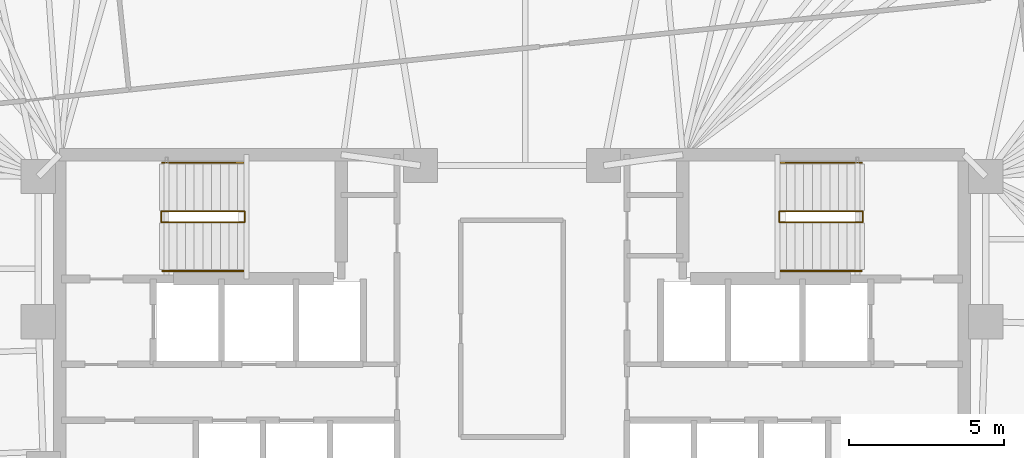
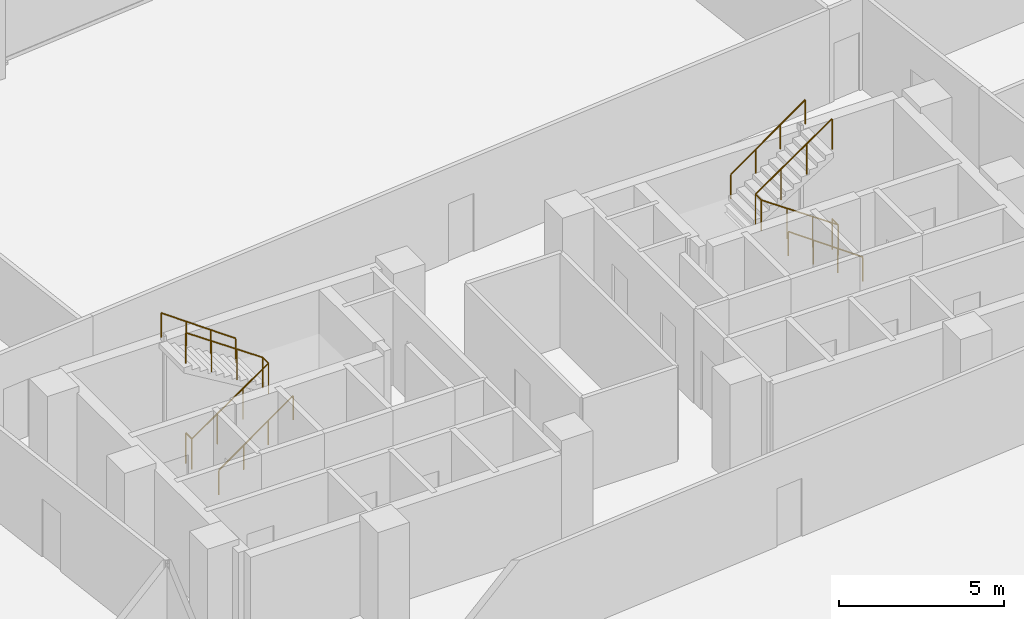
# One storey, part 18 of 18: 6 railings.
"""IFC4 building model written with IfcOpenShell, lengths in metres."""

import ifcopenshell
import ifcopenshell.guid

model = None  # the IFC model being written
_history = None  # IfcOwnerHistory: only IFC2X3 demands one
_inside = {}  # id of a spatial element -> (the spatial element, [elements in it])
_under = {}  # id of a project, library or spatial element -> (it, [spatial elements below it])
_declared = {}  # id of a project -> (the project, [libraries it declares])
_typed = {}  # id of a type object -> (the type object, [elements of that type])
_made_of = {}  # id of a material, layer set ... -> (it, [elements and type objects made of it])


def new_model(schema):
    """Start an empty IFC model of exactly this schema.

    Asked for "IFC4X3", IfcOpenShell would pick the latest addendum, in which some entities
    have other attributes; the version numbers below select the first issue.
    IFC2X3 requires an IfcOwnerHistory on every rooted entity: one is made here for all.
    """
    global model, _history
    if schema == "IFC4X3":
        model = ifcopenshell.file(schema_version=(4, 3, 0, 0))
    else:
        model = ifcopenshell.file(schema=schema)
    _inside.clear()
    _under.clear()
    _declared.clear()
    _typed.clear()
    _made_of.clear()
    _history = None
    if model.schema == "IFC2X3":
        org = make("IfcOrganization", Name="unknown")
        user = make(
            "IfcPersonAndOrganization",
            ThePerson=make("IfcPerson", FamilyName="unknown"),
            TheOrganization=org,
        )
        app = make(
            "IfcApplication",
            ApplicationDeveloper=org,
            Version="unknown",
            ApplicationFullName="unknown",
            ApplicationIdentifier="unknown",
        )
        _history = make(
            "IfcOwnerHistory",
            OwningUser=user,
            OwningApplication=app,
            ChangeAction="ADDED",
            CreationDate=0,
        )
    return model


def make(cls, **values):
    """One entity of the class cls with the attributes given. An attribute that is None is left unset."""
    return model.create_entity(
        cls, **{name: value for name, value in values.items() if value is not None}
    )


def rooted(cls, **values):
    """An entity with a GlobalId (a new one), such as an element, a storey or a relation."""
    return make(cls, GlobalId=ifcopenshell.guid.new(), OwnerHistory=_history, **values)


def si_unit(unit_type, name, prefix=None):
    """IfcSIUnit, for example si_unit("LENGTHUNIT", "METRE", prefix="MILLI")."""
    return make("IfcSIUnit", UnitType=unit_type, Prefix=prefix, Name=name)


def assignment(units):
    """IfcUnitAssignment: the units of a project."""
    return None if units is None else make("IfcUnitAssignment", Units=units)


def point(xyz):
    """IfcCartesianPoint."""
    return None if xyz is None else make("IfcCartesianPoint", Coordinates=xyz)


def direction(xyz):
    """IfcDirection."""
    return None if xyz is None else make("IfcDirection", DirectionRatios=xyz)


def frame(location, z_axis=None, x_axis=None):
    """IfcAxis2Placement3D, a coordinate frame: its origin and axes. An axis left out is left unset."""
    return make(
        "IfcAxis2Placement3D",
        Location=point(location),
        Axis=direction(z_axis),
        RefDirection=direction(x_axis),
    )


def frame_2d(location, x_axis=None):
    """IfcAxis2Placement2D, a coordinate frame in the plane: its origin and x axis."""
    return make(
        "IfcAxis2Placement2D", Location=point(location), RefDirection=direction(x_axis)
    )


def origin():
    """The frame at (0, 0, 0) with its axes left unset."""
    return frame((0.0, 0.0, 0.0))


def origin_2d():
    """The frame at (0, 0) in the plane with its x axis left unset."""
    return frame_2d((0.0, 0.0))


def place(relative_to, where):
    """IfcLocalPlacement: puts the frame where relative to a parent placement (None: the world)."""
    return make(
        "IfcLocalPlacement", PlacementRelTo=relative_to, RelativePlacement=where
    )


def context(
    kind, dimensions, precision=None, world=None, true_north=None, identifier=None
):
    """IfcGeometricRepresentationContext, for example the 3D "Model" context."""
    return make(
        "IfcGeometricRepresentationContext",
        ContextIdentifier=identifier,
        ContextType=kind,
        CoordinateSpaceDimension=dimensions,
        Precision=precision,
        WorldCoordinateSystem=world,
        TrueNorth=true_north,
    )


def subcontext(parent, identifier, kind, view, scale=None):
    """IfcGeometricRepresentationSubContext, for example "Body" below "Model"."""
    return make(
        "IfcGeometricRepresentationSubContext",
        ContextIdentifier=identifier,
        ContextType=kind,
        ParentContext=parent,
        TargetScale=scale,
        TargetView=view,
    )


def project(units=None, contexts=None):
    """IfcProject with its units and contexts."""
    return rooted(
        "IfcProject",
        Name="project",
        RepresentationContexts=contexts,
        UnitsInContext=assignment(units),
    )


def spatial(cls, under=None, at=None, **own):
    """A site, building, storey or space (cls), placed at a placement, below another one or the project."""
    s = rooted(cls, ObjectPlacement=at, **own)
    if under is not None:
        _under.setdefault(under.id(), (under, []))[1].append(s)
    return s


def profile(cls, at=None, kind="AREA", **sizes):
    """A parametric profile (cls). Its sizes go by their IFC names, for example OverallWidth=200.0."""
    return make(cls, ProfileType=kind, Position=at, **sizes)


def circle(**sizes):
    """IfcCircleProfileDef."""
    return profile("IfcCircleProfileDef", **sizes)


def extrude(swept, where, along, depth):
    """IfcExtrudedAreaSolid: the profile swept, set in the frame where, extruded along a direction by depth."""
    return make(
        "IfcExtrudedAreaSolid",
        SweptArea=swept,
        Position=where,
        ExtrudedDirection=direction(along),
        Depth=depth,
    )


def shape(context_of_items, identifier, shape_type, items):
    """IfcShapeRepresentation: the items that make up one representation, for example the "Body"."""
    return make(
        "IfcShapeRepresentation",
        ContextOfItems=context_of_items,
        RepresentationIdentifier=identifier,
        RepresentationType=shape_type,
        Items=items,
    )


def material(Name=None, Category=None):
    """IfcMaterial."""
    return make("IfcMaterial", Name=Name, Category=Category)


def made_of(thing, what):
    """Note that an element or type object is made of a material, layer set ...; save() writes the relation."""
    if what is not None:
        _made_of.setdefault(what.id(), (what, []))[1].append(thing)
    return thing


def type_object(cls, material=None, **own):
    """A type object (cls), such as IfcWallType, which elements share."""
    return made_of(rooted(cls, **own), material)


def element(
    cls,
    number,
    at=None,
    inside=None,
    cuts=None,
    type_object=None,
    material=None,
    context=None,
    identifier="Body",
    shape_type=None,
    held_by="IfcProductDefinitionShape",
    body=None,
    shapes=None,
    **own,
):
    """One element of the class cls, such as IfcWall. Its Tag is "e" and its number.

    at: its placement. inside: the storey or other place that contains it. cuts: it is an
    opening in that element (IfcRelVoidsElement). A single representation is given by context,
    identifier, shape_type and body (its items); several are given by shapes. held_by: the class
    of the entity that holds the representations. save() writes the other relations.
    """
    e = rooted(cls, Tag="e%d" % number, ObjectPlacement=at, **own)
    if body is not None:
        shapes = [shape(context, identifier, shape_type, body)]
    if shapes is not None:
        e.Representation = make(held_by, Representations=shapes)
    if inside is not None:
        _inside.setdefault(inside.id(), (inside, []))[1].append(e)
    if cuts is not None:
        rooted(
            "IfcRelVoidsElement", RelatingBuildingElement=cuts, RelatedOpeningElement=e
        )
    if type_object is not None:
        _typed.setdefault(type_object.id(), (type_object, []))[1].append(e)
    return made_of(e, material)


def aggregate(whole, parts):
    """IfcRelAggregates: a whole, such as a stair, and the parts it consists of."""
    return rooted("IfcRelAggregates", RelatingObject=whole, RelatedObjects=parts)


def save(model, path):
    """Write the relations noted so far, then the file.

    IfcRelAggregates (storeys below a building ...), IfcRelContainedInSpatialStructure (elements
    in a storey), IfcRelDefinesByType, IfcRelAssociatesMaterial and IfcRelDeclares: one each for
    every whole, place, type object, material and project.
    """
    for whole, parts in _under.values():
        aggregate(whole, parts)
    for where, things in _inside.values():
        rooted(
            "IfcRelContainedInSpatialStructure",
            RelatedElements=things,
            RelatingStructure=where,
        )
    for kind, things in _typed.values():
        rooted("IfcRelDefinesByType", RelatedObjects=things, RelatingType=kind)
    for what, things in _made_of.values():
        rooted("IfcRelAssociatesMaterial", RelatedObjects=things, RelatingMaterial=what)
    for by, libraries in _declared.values():
        rooted("IfcRelDeclares", RelatingContext=by, RelatedDefinitions=libraries)
    model.write(path)


model = new_model("IFC4")

# Units and contexts
model_context = context("Model", 3, precision=1e-05, world=origin(), true_north=direction((0.0, 1.0)))
body_context = subcontext(model_context, "Body", "Model", "MODEL_VIEW")
ifc_project = project(units=[si_unit("LENGTHUNIT", "METRE"), si_unit("AREAUNIT", "SQUARE_METRE"), si_unit("VOLUMEUNIT", "CUBIC_METRE"), si_unit("PLANEANGLEUNIT", "RADIAN"), si_unit("MASSUNIT", "GRAM", prefix="KILO")], contexts=[model_context])

# Site, building, storey
site_placement = place(None, origin())
site = spatial("IfcSite", under=ifc_project, at=site_placement, CompositionType="ELEMENT")
building_placement = place(site_placement, origin())
building = spatial("IfcBuilding", under=site, at=building_placement, Name="Menara Jurai Vektor", CompositionType="ELEMENT")
storey_placement = place(building_placement, frame((0.0, 0.0, 91.10009765625)))
storey = spatial("IfcBuildingStorey", under=building, at=storey_placement, Name="L22", CompositionType="ELEMENT", Elevation=91.10009765625)

# Railings
ifc_material_1 = material(Name="Painted Galvanised Steel Balustrade", Category="steel")
railing_type_1 = type_object("IfcRailingType", Name="RAIL-STAIR-GUARD", PredefinedType="GUARDRAIL", material=ifc_material_1)
railing_1_placement = place(storey_placement, frame((-11.2900390625, 3.780029296875, 0.0)))
element("IfcRailing", 1, at=railing_1_placement, inside=storey, type_object=railing_type_1, Name="ST1 Stair Guardrail 1 L22", PredefinedType="GUARDRAIL", context=body_context, shape_type="SweptSolid", body=[
    extrude(circle(Radius=0.02392578125, at=origin_2d()), frame((0.0, 0.0, 1.1259765625), z_axis=(0.0, -1.0, 0.0), x_axis=(1.0, 0.0, 0.0)), (0.0, 0.0, 1.0), 0.360107421875),
    extrude(circle(Radius=0.02392578125, at=origin_2d()), frame((0.0, -0.360107421875, 1.1259765625), z_axis=(0.822979520584, 0.0, 0.568071041948), x_axis=(0.0, 1.0, 0.0)), (0.0, 0.0, 1.0), 3.25634765625),
    extrude(circle(Radius=0.02392578125, at=origin_2d()), frame((2.679931640625, -0.360107421875, 2.9755859375), z_axis=(0.0, 1.0, 0.0), x_axis=(-1.0, 0.0, 0.0)), (0.0, 0.0, 1.0), 0.360107421875),
    extrude(circle(Radius=0.02392578125, at=origin_2d()), frame((2.679931640625, 0.0, 2.9755859375), z_axis=(-0.822944469782, 0.0, 0.568121817619), x_axis=(0.0, -1.0, 0.0)), (0.0, 0.0, 1.0), 3.256591796875),
    extrude(circle(Radius=0.02099609375, at=origin_2d()), origin(), (0.0, 0.0, 1.0), 1.101806640625),
    extrude(circle(Radius=0.02099609375, at=origin_2d()), frame((0.0, -0.360107421875, 0.0)), (0.0, 0.0, 1.0), 1.101806640625),
    extrude(circle(Radius=0.02099609375, at=origin_2d()), frame((0.893310546875, -0.360107421875, 0.61669921875)), (0.0, 0.0, 1.0), 1.101806640625),
    extrude(circle(Radius=0.02099609375, at=origin_2d()), frame((1.78662109375, -0.360107421875, 1.233154296875)), (0.0, 0.0, 1.0), 1.101806640625),
    extrude(circle(Radius=0.02099609375, at=origin_2d()), frame((2.679931640625, -0.360107421875, 1.849853515625)), (0.0, 0.0, 1.0), 1.101806640625),
    extrude(circle(Radius=0.02099609375, at=origin_2d()), frame((2.679931640625, 0.0, 1.849853515625)), (0.0, 0.0, 1.0), 1.101806640625),
    extrude(circle(Radius=0.02099609375, at=origin_2d()), frame((1.78662109375, 0.0, 2.466552734375)), (0.0, 0.0, 1.0), 1.101806640625),
    extrude(circle(Radius=0.02099609375, at=origin_2d()), frame((0.893310546875, 0.0, 3.083251953125)), (0.0, 0.0, 1.0), 1.101806640625),
    extrude(circle(Radius=0.02099609375, at=origin_2d()), frame((0.0, 0.0, 3.699951171875)), (0.0, 0.0, 1.0), 1.101806640625),
])
railing_2_placement = place(storey_placement, frame((11.2900390625, 3.780029296875, 0.0)))
element("IfcRailing", 2, at=railing_2_placement, inside=storey, type_object=railing_type_1, Name="ST2 Stair Guardrail 1 L22", PredefinedType="GUARDRAIL", context=body_context, shape_type="SweptSolid", body=[
    extrude(circle(Radius=0.02392578125, at=origin_2d()), frame((0.0, 0.0, 1.1259765625), z_axis=(0.0, -1.0, 0.0), x_axis=(1.0, 0.0, 0.0)), (0.0, 0.0, 1.0), 0.360107421875),
    extrude(circle(Radius=0.02392578125, at=origin_2d()), frame((0.0, -0.360107421875, 1.1259765625), z_axis=(-0.822979520584, 0.0, 0.568071041948), x_axis=(0.0, -1.0, 0.0)), (0.0, 0.0, 1.0), 3.25634765625),
    extrude(circle(Radius=0.02392578125, at=origin_2d()), frame((-2.679931640625, -0.360107421875, 2.9755859375), z_axis=(0.0, 1.0, 0.0), x_axis=(-1.0, 0.0, 0.0)), (0.0, 0.0, 1.0), 0.360107421875),
    extrude(circle(Radius=0.02392578125, at=origin_2d()), frame((-2.679931640625, 0.0, 2.9755859375), z_axis=(0.822944469782, 0.0, 0.568121817619), x_axis=(0.0, 1.0, 0.0)), (0.0, 0.0, 1.0), 3.256591796875),
    extrude(circle(Radius=0.02099609375, at=origin_2d()), origin(), (0.0, 0.0, 1.0), 1.101806640625),
    extrude(circle(Radius=0.02099609375, at=origin_2d()), frame((0.0, -0.360107421875, 0.0)), (0.0, 0.0, 1.0), 1.101806640625),
    extrude(circle(Radius=0.02099609375, at=origin_2d()), frame((-0.893310546875, -0.360107421875, 0.61669921875)), (0.0, 0.0, 1.0), 1.101806640625),
    extrude(circle(Radius=0.02099609375, at=origin_2d()), frame((-1.78662109375, -0.360107421875, 1.233154296875)), (0.0, 0.0, 1.0), 1.101806640625),
    extrude(circle(Radius=0.02099609375, at=origin_2d()), frame((-2.679931640625, -0.360107421875, 1.849853515625)), (0.0, 0.0, 1.0), 1.101806640625),
    extrude(circle(Radius=0.02099609375, at=origin_2d()), frame((-2.679931640625, 0.0, 1.849853515625)), (0.0, 0.0, 1.0), 1.101806640625),
    extrude(circle(Radius=0.02099609375, at=origin_2d()), frame((-1.78662109375, 0.0, 2.466552734375)), (0.0, 0.0, 1.0), 1.101806640625),
    extrude(circle(Radius=0.02099609375, at=origin_2d()), frame((-0.893310546875, 0.0, 3.083251953125)), (0.0, 0.0, 1.0), 1.101806640625),
    extrude(circle(Radius=0.02099609375, at=origin_2d()), frame((0.0, 0.0, 3.699951171875)), (0.0, 0.0, 1.0), 1.101806640625),
])
ifc_material_2 = material(Name="Brushed Stainless Steel Handrail", Category="steel")
railing_type_2 = type_object("IfcRailingType", Name="RAIL-STAIR-HAND", PredefinedType="HANDRAIL", material=ifc_material_2)
railing_3_placement = place(storey_placement, frame((-11.25, 1.860107421875, 0.0)))
element("IfcRailing", 3, at=railing_3_placement, inside=storey, type_object=railing_type_2, Name="ST1 Stair Handrail 1 L22", PredefinedType="HANDRAIL", context=body_context, shape_type="SweptSolid", body=[
    extrude(circle(Radius=0.02392578125, at=origin_2d()), frame((0.0, 0.0, 0.89599609375), z_axis=(0.814822811145, 0.0, 0.579710088267), x_axis=(0.0, 1.0, 0.0)), (0.0, 0.0, 1.0), 3.19091796875),
    extrude(circle(Radius=0.02099609375, at=origin_2d()), origin(), (0.0, 0.0, 1.0), 0.871826171875),
    extrude(circle(Radius=0.02099609375, at=origin_2d()), frame((0.86669921875, 0.0, 0.61669921875)), (0.0, 0.0, 1.0), 0.871826171875),
    extrude(circle(Radius=0.02099609375, at=origin_2d()), frame((1.7333984375, 0.0, 1.233154296875)), (0.0, 0.0, 1.0), 0.871826171875),
    extrude(circle(Radius=0.02099609375, at=origin_2d()), frame((2.60009765625, 0.0, 1.849853515625)), (0.0, 0.0, 1.0), 0.871826171875),
])
railing_4_placement = place(storey_placement, frame((-8.64990234375, 5.340087890625, 1.849853515625)))
element("IfcRailing", 4, at=railing_4_placement, inside=storey, type_object=railing_type_2, Name="ST1 Stair Handrail 2 L22", PredefinedType="HANDRAIL", context=body_context, shape_type="SweptSolid", body=[
    extrude(circle(Radius=0.02392578125, at=origin_2d()), frame((0.0, 0.0, 0.89599609375), z_axis=(-0.814786671209, 0.0, 0.579760882106), x_axis=(0.0, -1.0, 0.0)), (0.0, 0.0, 1.0), 3.191162109375),
    extrude(circle(Radius=0.02099609375, at=origin_2d()), origin(), (0.0, 0.0, 1.0), 0.871826171875),
    extrude(circle(Radius=0.02099609375, at=origin_2d()), frame((-0.86669921875, 0.0, 0.61669921875)), (0.0, 0.0, 1.0), 0.871826171875),
    extrude(circle(Radius=0.02099609375, at=origin_2d()), frame((-1.7333984375, 0.0, 1.2333984375)), (0.0, 0.0, 1.0), 0.871826171875),
    extrude(circle(Radius=0.02099609375, at=origin_2d()), frame((-2.60009765625, 0.0, 1.85009765625)), (0.0, 0.0, 1.0), 0.871826171875),
])
railing_5_placement = place(storey_placement, frame((11.25, 1.860107421875, 0.0)))
element("IfcRailing", 5, at=railing_5_placement, inside=storey, type_object=railing_type_2, Name="ST2 Stair Handrail 1 L22", PredefinedType="HANDRAIL", context=body_context, shape_type="SweptSolid", body=[
    extrude(circle(Radius=0.02392578125, at=origin_2d()), frame((0.0, 0.0, 0.89599609375), z_axis=(-0.814822811145, 0.0, 0.579710088267), x_axis=(0.0, -1.0, 0.0)), (0.0, 0.0, 1.0), 3.19091796875),
    extrude(circle(Radius=0.02099609375, at=origin_2d()), origin(), (0.0, 0.0, 1.0), 0.871826171875),
    extrude(circle(Radius=0.02099609375, at=origin_2d()), frame((-0.86669921875, 0.0, 0.61669921875)), (0.0, 0.0, 1.0), 0.871826171875),
    extrude(circle(Radius=0.02099609375, at=origin_2d()), frame((-1.7333984375, 0.0, 1.233154296875)), (0.0, 0.0, 1.0), 0.871826171875),
    extrude(circle(Radius=0.02099609375, at=origin_2d()), frame((-2.60009765625, 0.0, 1.849853515625)), (0.0, 0.0, 1.0), 0.871826171875),
])
railing_6_placement = place(storey_placement, frame((8.64990234375, 5.340087890625, 1.849853515625)))
element("IfcRailing", 6, at=railing_6_placement, inside=storey, type_object=railing_type_2, Name="ST2 Stair Handrail 2 L22", PredefinedType="HANDRAIL", context=body_context, shape_type="SweptSolid", body=[
    extrude(circle(Radius=0.02392578125, at=origin_2d()), frame((0.0, 0.0, 0.89599609375), z_axis=(0.814786671209, 0.0, 0.579760882106), x_axis=(0.0, 1.0, 0.0)), (0.0, 0.0, 1.0), 3.191162109375),
    extrude(circle(Radius=0.02099609375, at=origin_2d()), origin(), (0.0, 0.0, 1.0), 0.871826171875),
    extrude(circle(Radius=0.02099609375, at=origin_2d()), frame((0.86669921875, 0.0, 0.61669921875)), (0.0, 0.0, 1.0), 0.871826171875),
    extrude(circle(Radius=0.02099609375, at=origin_2d()), frame((1.7333984375, 0.0, 1.2333984375)), (0.0, 0.0, 1.0), 0.871826171875),
    extrude(circle(Radius=0.02099609375, at=origin_2d()), frame((2.60009765625, 0.0, 1.85009765625)), (0.0, 0.0, 1.0), 0.871826171875),
])

save(model, "model.ifc")
